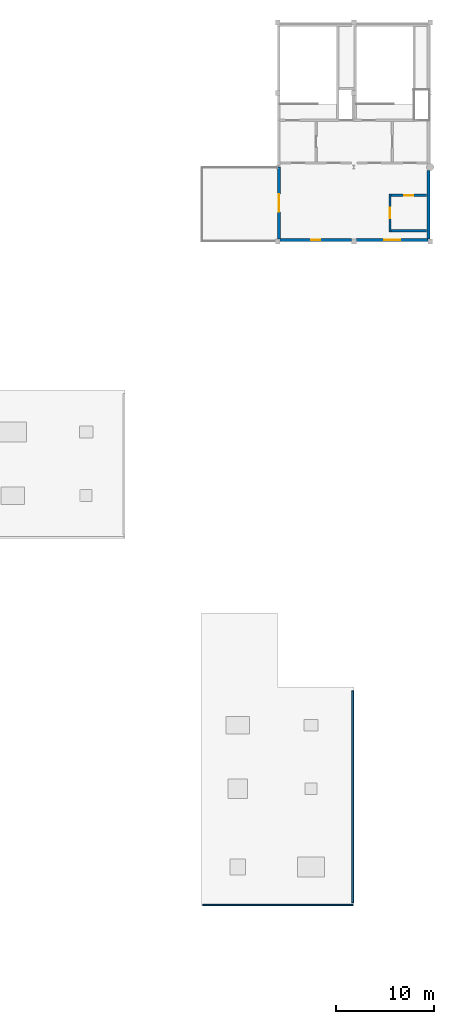
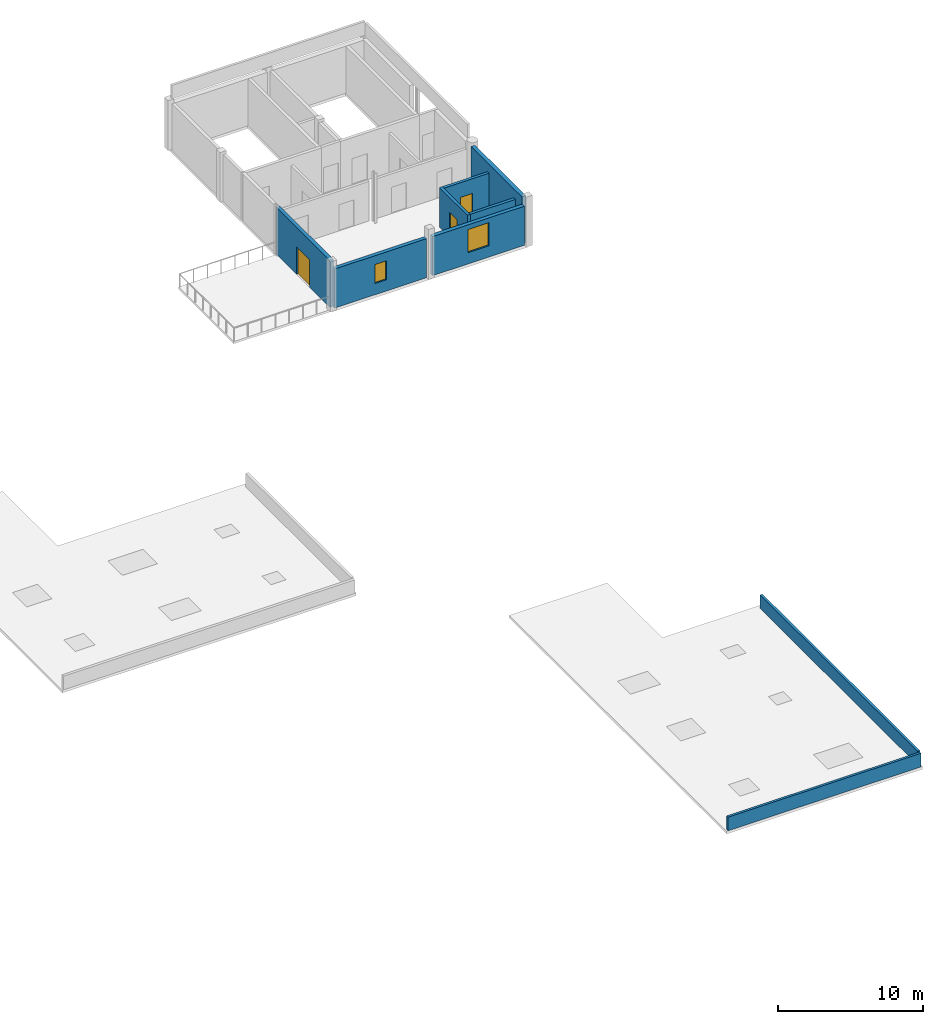
# One storey, part 15 of 17: 9 walls, 3 doors, 2 windows, 5 openings.
"""IFC4 building model written with IfcOpenShell, lengths in metres."""

import ifcopenshell
import ifcopenshell.guid

model = None  # the IFC model being written
_history = None  # IfcOwnerHistory: only IFC2X3 demands one
_inside = {}  # id of a spatial element -> (the spatial element, [elements in it])
_under = {}  # id of a project, library or spatial element -> (it, [spatial elements below it])
_declared = {}  # id of a project -> (the project, [libraries it declares])
_typed = {}  # id of a type object -> (the type object, [elements of that type])
_made_of = {}  # id of a material, layer set ... -> (it, [elements and type objects made of it])


def new_model(schema):
    """Start an empty IFC model of exactly this schema.

    Asked for "IFC4X3", IfcOpenShell would pick the latest addendum, in which some entities
    have other attributes; the version numbers below select the first issue.
    IFC2X3 requires an IfcOwnerHistory on every rooted entity: one is made here for all.
    """
    global model, _history
    if schema == "IFC4X3":
        model = ifcopenshell.file(schema_version=(4, 3, 0, 0))
    else:
        model = ifcopenshell.file(schema=schema)
    _inside.clear()
    _under.clear()
    _declared.clear()
    _typed.clear()
    _made_of.clear()
    _history = None
    if model.schema == "IFC2X3":
        org = make("IfcOrganization", Name="unknown")
        user = make(
            "IfcPersonAndOrganization",
            ThePerson=make("IfcPerson", FamilyName="unknown"),
            TheOrganization=org,
        )
        app = make(
            "IfcApplication",
            ApplicationDeveloper=org,
            Version="unknown",
            ApplicationFullName="unknown",
            ApplicationIdentifier="unknown",
        )
        _history = make(
            "IfcOwnerHistory",
            OwningUser=user,
            OwningApplication=app,
            ChangeAction="ADDED",
            CreationDate=0,
        )
    return model


def make(cls, **values):
    """One entity of the class cls with the attributes given. An attribute that is None is left unset."""
    return model.create_entity(
        cls, **{name: value for name, value in values.items() if value is not None}
    )


def rooted(cls, **values):
    """An entity with a GlobalId (a new one), such as an element, a storey or a relation."""
    return make(cls, GlobalId=ifcopenshell.guid.new(), OwnerHistory=_history, **values)


def si_unit(unit_type, name, prefix=None):
    """IfcSIUnit, for example si_unit("LENGTHUNIT", "METRE", prefix="MILLI")."""
    return make("IfcSIUnit", UnitType=unit_type, Prefix=prefix, Name=name)


def assignment(units):
    """IfcUnitAssignment: the units of a project."""
    return None if units is None else make("IfcUnitAssignment", Units=units)


def point(xyz):
    """IfcCartesianPoint."""
    return None if xyz is None else make("IfcCartesianPoint", Coordinates=xyz)


def direction(xyz):
    """IfcDirection."""
    return None if xyz is None else make("IfcDirection", DirectionRatios=xyz)


def frame(location, z_axis=None, x_axis=None):
    """IfcAxis2Placement3D, a coordinate frame: its origin and axes. An axis left out is left unset."""
    return make(
        "IfcAxis2Placement3D",
        Location=point(location),
        Axis=direction(z_axis),
        RefDirection=direction(x_axis),
    )


def frame_2d(location, x_axis=None):
    """IfcAxis2Placement2D, a coordinate frame in the plane: its origin and x axis."""
    return make(
        "IfcAxis2Placement2D", Location=point(location), RefDirection=direction(x_axis)
    )


def origin():
    """The frame at (0, 0, 0) with its axes left unset."""
    return frame((0.0, 0.0, 0.0))


def place(relative_to, where):
    """IfcLocalPlacement: puts the frame where relative to a parent placement (None: the world)."""
    return make(
        "IfcLocalPlacement", PlacementRelTo=relative_to, RelativePlacement=where
    )


def context(
    kind, dimensions, precision=None, world=None, true_north=None, identifier=None
):
    """IfcGeometricRepresentationContext, for example the 3D "Model" context."""
    return make(
        "IfcGeometricRepresentationContext",
        ContextIdentifier=identifier,
        ContextType=kind,
        CoordinateSpaceDimension=dimensions,
        Precision=precision,
        WorldCoordinateSystem=world,
        TrueNorth=true_north,
    )


def subcontext(parent, identifier, kind, view, scale=None):
    """IfcGeometricRepresentationSubContext, for example "Body" below "Model"."""
    return make(
        "IfcGeometricRepresentationSubContext",
        ContextIdentifier=identifier,
        ContextType=kind,
        ParentContext=parent,
        TargetScale=scale,
        TargetView=view,
    )


def project(units=None, contexts=None):
    """IfcProject with its units and contexts."""
    return rooted(
        "IfcProject",
        Name="project",
        RepresentationContexts=contexts,
        UnitsInContext=assignment(units),
    )


def spatial(cls, under=None, at=None, **own):
    """A site, building, storey or space (cls), placed at a placement, below another one or the project."""
    s = rooted(cls, ObjectPlacement=at, **own)
    if under is not None:
        _under.setdefault(under.id(), (under, []))[1].append(s)
    return s


def profile(cls, at=None, kind="AREA", **sizes):
    """A parametric profile (cls). Its sizes go by their IFC names, for example OverallWidth=200.0."""
    return make(cls, ProfileType=kind, Position=at, **sizes)


def rectangle(**sizes):
    """IfcRectangleProfileDef."""
    return profile("IfcRectangleProfileDef", **sizes)


def extrude(swept, where, along, depth):
    """IfcExtrudedAreaSolid: the profile swept, set in the frame where, extruded along a direction by depth."""
    return make(
        "IfcExtrudedAreaSolid",
        SweptArea=swept,
        Position=where,
        ExtrudedDirection=direction(along),
        Depth=depth,
    )


def shape(context_of_items, identifier, shape_type, items):
    """IfcShapeRepresentation: the items that make up one representation, for example the "Body"."""
    return make(
        "IfcShapeRepresentation",
        ContextOfItems=context_of_items,
        RepresentationIdentifier=identifier,
        RepresentationType=shape_type,
        Items=items,
    )


def material(Name=None, Category=None):
    """IfcMaterial."""
    return make("IfcMaterial", Name=Name, Category=Category)


def layer(
    of_material, thickness, ventilated=None, Name=None, Category=None, Priority=None
):
    """IfcMaterialLayer: one layer of a wall or slab, of a material (None: an air gap)."""
    return make(
        "IfcMaterialLayer",
        Material=of_material,
        LayerThickness=thickness,
        IsVentilated=ventilated,
        Name=Name,
        Category=Category,
        Priority=Priority,
    )


def layer_set(layers, Name=None):
    """IfcMaterialLayerSet."""
    return make("IfcMaterialLayerSet", MaterialLayers=layers, LayerSetName=Name)


def made_of(thing, what):
    """Note that an element or type object is made of a material, layer set ...; save() writes the relation."""
    if what is not None:
        _made_of.setdefault(what.id(), (what, []))[1].append(thing)
    return thing


def type_object(cls, material=None, **own):
    """A type object (cls), such as IfcWallType, which elements share."""
    return made_of(rooted(cls, **own), material)


def element(
    cls,
    number,
    at=None,
    inside=None,
    cuts=None,
    type_object=None,
    material=None,
    context=None,
    identifier="Body",
    shape_type=None,
    held_by="IfcProductDefinitionShape",
    body=None,
    shapes=None,
    **own,
):
    """One element of the class cls, such as IfcWall. Its Tag is "e" and its number.

    at: its placement. inside: the storey or other place that contains it. cuts: it is an
    opening in that element (IfcRelVoidsElement). A single representation is given by context,
    identifier, shape_type and body (its items); several are given by shapes. held_by: the class
    of the entity that holds the representations. save() writes the other relations.
    """
    e = rooted(cls, Tag="e%d" % number, ObjectPlacement=at, **own)
    if body is not None:
        shapes = [shape(context, identifier, shape_type, body)]
    if shapes is not None:
        e.Representation = make(held_by, Representations=shapes)
    if inside is not None:
        _inside.setdefault(inside.id(), (inside, []))[1].append(e)
    if cuts is not None:
        rooted(
            "IfcRelVoidsElement", RelatingBuildingElement=cuts, RelatedOpeningElement=e
        )
    if type_object is not None:
        _typed.setdefault(type_object.id(), (type_object, []))[1].append(e)
    return made_of(e, material)


def fill(opening, filler):
    """IfcRelFillsElement: the door or window that sits in an opening."""
    return rooted(
        "IfcRelFillsElement",
        RelatingOpeningElement=opening,
        RelatedBuildingElement=filler,
    )


def aggregate(whole, parts):
    """IfcRelAggregates: a whole, such as a stair, and the parts it consists of."""
    return rooted("IfcRelAggregates", RelatingObject=whole, RelatedObjects=parts)


def save(model, path):
    """Write the relations noted so far, then the file.

    IfcRelAggregates (storeys below a building ...), IfcRelContainedInSpatialStructure (elements
    in a storey), IfcRelDefinesByType, IfcRelAssociatesMaterial and IfcRelDeclares: one each for
    every whole, place, type object, material and project.
    """
    for whole, parts in _under.values():
        aggregate(whole, parts)
    for where, things in _inside.values():
        rooted(
            "IfcRelContainedInSpatialStructure",
            RelatedElements=things,
            RelatingStructure=where,
        )
    for kind, things in _typed.values():
        rooted("IfcRelDefinesByType", RelatedObjects=things, RelatingType=kind)
    for what, things in _made_of.values():
        rooted("IfcRelAssociatesMaterial", RelatedObjects=things, RelatingMaterial=what)
    for by, libraries in _declared.values():
        rooted("IfcRelDeclares", RelatingContext=by, RelatedDefinitions=libraries)
    model.write(path)


model = new_model("IFC4")

# Units and contexts
model_context = context("Model", 3, precision=1e-05, world=origin(), true_north=direction((0.0, 1.0)))
body_context = subcontext(model_context, "Body", "Model", "MODEL_VIEW")
ifc_project = project(units=[si_unit("LENGTHUNIT", "METRE"), si_unit("AREAUNIT", "SQUARE_METRE"), si_unit("VOLUMEUNIT", "CUBIC_METRE"), si_unit("PLANEANGLEUNIT", "RADIAN"), si_unit("MASSUNIT", "GRAM", prefix="KILO")], contexts=[model_context])

# Site, building, storey
site_placement = place(None, origin())
site = spatial("IfcSite", under=ifc_project, at=site_placement, CompositionType="ELEMENT")
building_placement = place(site_placement, origin())
building = spatial("IfcBuilding", under=site, at=building_placement, Name="Xicomal Pleat Aquarium", CompositionType="ELEMENT")
storey_placement = place(building_placement, frame((0.0, 0.0, 19.800048828125)))
storey = spatial("IfcBuildingStorey", under=building, at=storey_placement, Name="L05", CompositionType="ELEMENT", Elevation=19.800048828125)

# Wall, opening, door
ifc_material_1 = material(Name="Precast concrete C40/50", Category="concrete")
ifc_layer_1 = layer(ifc_material_1, 0.280029296875)
ifc_layer_set_1 = layer_set([ifc_layer_1], Name="Precast concrete C40/50")
wall_type_1 = type_object("IfcWallType", Name="WAL-EXT-PRC-280", PredefinedType="SOLIDWALL", material=ifc_layer_set_1)
wall_1_placement = place(storey_placement, frame((141.739990234375, 76.235107421875, 0.0), z_axis=(0.0, 0.0, 1.0), x_axis=(0.0, 1.0, 0.0)))
wall_1 = element("IfcWall", 1, at=wall_1_placement, inside=storey, type_object=wall_type_1, Name="L05 exterior basalt-precast wall EW-L05-006", PredefinedType="SOLIDWALL", context=body_context, shape_type="SweptSolid", body=[
    extrude(rectangle(XDim=7.385009765625, YDim=0.280029296875, at=frame_2d((3.6923828125, 0.0))), origin(), (0.0, 0.0, 1.0), 3.9599609375),
])
opening_1_placement = place(wall_1_placement, frame((2.79296875, 0.0, 0.0)))
opening_1 = element("IfcOpeningElement", 2, at=opening_1_placement, cuts=wall_1, Name="Opening TD-L05-05", PredefinedType="OPENING", context=body_context, shape_type="SweptSolid", body=[
    extrude(rectangle(XDim=1.800048828125, YDim=2.300048828125, at=frame_2d((0.89990234375, 1.14990234375))), frame((0.0, 0.14990234375, 0.0), z_axis=(0.0, -1.0, 0.0), x_axis=(1.0, 0.0, 0.0)), (0.0, 0.0, 1.0), 0.300048828125),
])
ifc_material_2 = material(Name="Bronze anodized aluminium and laminated safety glass", Category="aluminium")
door_type_1 = type_object("IfcDoorType", Name="DOR-TER-1800x2300", OperationType="DOUBLE_DOOR_SINGLE_SWING", PredefinedType="DOOR", material=ifc_material_2)
door_1_placement = place(opening_1_placement, origin())
door_1 = element("IfcDoor", 3, at=door_1_placement, inside=storey, type_object=door_type_1, Name="L05 outdoor court terrace door 5", OperationType="DOUBLE_DOOR_SINGLE_SWING", OverallHeight=2.300048828125, OverallWidth=1.800048828125, PredefinedType="DOOR", context=body_context, shape_type="SweptSolid", body=[
    extrude(rectangle(XDim=1.800048828125, YDim=2.300048828125, at=frame_2d((0.89990234375, 1.14990234375))), frame((0.0, 0.02490234375, 0.0), z_axis=(0.0, -1.0, 0.0), x_axis=(1.0, 0.0, 0.0)), (0.0, 0.0, 1.0), 0.050048828125),
])
fill(opening_1, door_1)

# Wall, opening, window
ifc_material_3 = material(Name="Precast concrete C40/50", Category="concrete")
ifc_layer_2 = layer(ifc_material_3, 0.2900390625)
ifc_layer_set_2 = layer_set([ifc_layer_2], Name="Precast concrete C40/50")
wall_type_2 = type_object("IfcWallType", Name="WAL-EXT-PRC-290", PredefinedType="SOLIDWALL", material=ifc_layer_set_2)
wall_2_placement = place(storey_placement, frame((149.1650390625, 76.14501953125, 0.0), z_axis=(0.0, 0.0, 1.0), x_axis=(-1.0, 0.0, 0.0)))
wall_2 = element("IfcWall", 4, at=wall_2_placement, inside=storey, type_object=wall_type_2, Name="L05 exterior basalt-precast wall EW-L05-005", PredefinedType="SOLIDWALL", context=body_context, shape_type="SweptSolid", body=[
    extrude(rectangle(XDim=7.330078125, YDim=0.2900390625, at=frame_2d((3.6650390625, 0.0))), origin(), (0.0, 0.0, 1.0), 3.294921875),
])
opening_2_placement = place(wall_2_placement, frame((3.215087890625, 0.0, 0.949951171875)))
opening_2 = element("IfcOpeningElement", 5, at=opening_2_placement, cuts=wall_2, Name="Opening WN-06", PredefinedType="OPENING", context=body_context, shape_type="SweptSolid", body=[
    extrude(rectangle(XDim=0.89990234375, YDim=1.60009765625, at=frame_2d((0.449951171875, 0.800048828125))), frame((0.0, 0.155029296875, 0.0), z_axis=(0.0, -1.0, 0.0), x_axis=(1.0, 0.0, 0.0)), (0.0, 0.0, 1.0), 0.31005859375),
])
ifc_material_4 = material(Name="Insulated low-E laminated glass", Category="glass")
window_type_1 = type_object("IfcWindowType", Name="WIN-EXT-0900x1600", PartitioningType="SINGLE_PANEL", PredefinedType="WINDOW", material=ifc_material_4)
window_1_placement = place(opening_2_placement, origin())
window_1 = element("IfcWindow", 6, at=window_1_placement, inside=storey, type_object=window_type_1, Name="L05 thermally broken low-E window 83", OverallHeight=1.60009765625, OverallWidth=0.89990234375, PartitioningType="SINGLE_PANEL", PredefinedType="WINDOW", context=body_context, shape_type="SweptSolid", body=[
    extrude(rectangle(XDim=0.89990234375, YDim=1.60009765625, at=frame_2d((0.449951171875, 0.800048828125))), frame((0.0, 0.030029296875, 0.0), z_axis=(0.0, -1.0, 0.0), x_axis=(1.0, 0.0, 0.0)), (0.0, 0.0, 1.0), 0.06005859375),
])
fill(opening_2, window_1)

ifc_material_5 = material(Name="Precast concrete C40/50", Category="concrete")
ifc_layer_3 = layer(ifc_material_5, 0.300048828125)
ifc_layer_set_3 = layer_set([ifc_layer_3], Name="Precast concrete C40/50")
wall_type_3 = type_object("IfcWallType", Name="WAL-EXT-PRC-300", PredefinedType="SOLIDWALL", material=ifc_layer_set_3)
wall_3_placement = place(storey_placement, frame((156.965087890625, 76.14990234375, 0.0), z_axis=(0.0, 0.0, 1.0), x_axis=(-1.0, 0.0, 0.0)))
wall_3 = element("IfcWall", 7, at=wall_3_placement, inside=storey, type_object=wall_type_3, Name="L05 exterior basalt-precast wall EW-L05-004", PredefinedType="SOLIDWALL", context=body_context, shape_type="SweptSolid", body=[
    extrude(rectangle(XDim=7.330078125, YDim=0.300048828125, at=frame_2d((3.6650390625, 0.0))), origin(), (0.0, 0.0, 1.0), 3.294921875),
])
opening_3_placement = place(wall_3_placement, frame((2.840087890625, 0.0, 0.949951171875)))
opening_3 = element("IfcOpeningElement", 8, at=opening_3_placement, cuts=wall_3, Name="Opening WN-10", PredefinedType="OPENING", context=body_context, shape_type="SweptSolid", body=[
    extrude(rectangle(XDim=1.64990234375, YDim=1.949951171875, at=frame_2d((0.824951171875, 0.97509765625))), frame((0.0, 0.159912109375, 0.0), z_axis=(0.0, -1.0, 0.0), x_axis=(1.0, 0.0, 0.0)), (0.0, 0.0, 1.0), 0.320068359375),
])
ifc_material_6 = material(Name="Insulated low-E laminated glass", Category="glass")
window_type_2 = type_object("IfcWindowType", Name="WIN-EXT-1650x1950", PartitioningType="SINGLE_PANEL", PredefinedType="WINDOW", material=ifc_material_6)
window_2_placement = place(opening_3_placement, origin())
window_2 = element("IfcWindow", 9, at=window_2_placement, inside=storey, type_object=window_type_2, Name="L05 thermally broken low-E window 82", OverallHeight=1.949951171875, OverallWidth=1.64990234375, PartitioningType="SINGLE_PANEL", PredefinedType="WINDOW", context=body_context, shape_type="SweptSolid", body=[
    extrude(rectangle(XDim=1.64990234375, YDim=1.949951171875, at=frame_2d((0.824951171875, 0.97509765625))), frame((0.0, 0.030029296875, 0.0), z_axis=(0.0, -1.0, 0.0), x_axis=(1.0, 0.0, 0.0)), (0.0, 0.0, 1.0), 0.06005859375),
])
fill(opening_3, window_2)

# Walls
ifc_material_7 = material(Name="Precast concrete C40/50", Category="concrete")
ifc_layer_4 = layer(ifc_material_7, 0.31201171875)
ifc_layer_set_4 = layer_set([ifc_layer_4], Name="Precast concrete C40/50")
wall_type_4 = type_object("IfcWallType", Name="WAL-EXT-PRC-312", PredefinedType="SOLIDWALL", material=ifc_layer_set_4)
wall_4_placement = place(storey_placement, frame((157.0439453125, 83.239990234375, 0.0), z_axis=(0.0, 0.0, 1.0), x_axis=(0.0, -1.0, 0.0)))
element("IfcWall", 10, at=wall_4_placement, inside=storey, type_object=wall_type_4, Name="L05 exterior basalt-precast wall EW-L05-003", PredefinedType="SOLIDWALL", context=body_context, shape_type="SweptSolid", body=[
    extrude(rectangle(XDim=7.0048828125, YDim=0.31201171875, at=frame_2d((3.50244140625, 0.0))), origin(), (0.0, 0.0, 1.0), 3.9599609375),
])
ifc_material_8 = material(Name="Precast concrete C40/50", Category="concrete")
ifc_layer_5 = layer(ifc_material_8, 0.18994140625)
ifc_layer_set_5 = layer_set([ifc_layer_5], Name="Precast concrete C40/50")
wall_type_5 = type_object("IfcWallType", Name="WAL-PAR-190", PredefinedType="PARAPET", material=ifc_layer_set_5)
wall_5_placement = place(storey_placement, frame((133.909912109375, 8.110107421875, 0.0), z_axis=(0.0, 0.0, 1.0), x_axis=(1.0, 0.0, 0.0)))
element("IfcWall", 11, at=wall_5_placement, inside=storey, type_object=wall_type_5, Name="L05 roof perimeter parapet PW-L05-V3-S", PredefinedType="PARAPET", context=body_context, shape_type="SweptSolid", body=[
    extrude(rectangle(XDim=15.380126953125, YDim=0.18994140625, at=frame_2d((7.68994140625, 0.0))), origin(), (0.0, 0.0, 1.0), 1.14990234375),
])
wall_6_placement = place(storey_placement, frame((149.2900390625, 8.35009765625, 0.0), z_axis=(0.0, 0.0, 1.0), x_axis=(0.0, 1.0, 0.0)))
element("IfcWall", 12, at=wall_6_placement, inside=storey, type_object=wall_type_5, Name="L05 roof perimeter parapet PW-L05-V3-E", PredefinedType="PARAPET", context=body_context, shape_type="SweptSolid", body=[
    extrude(rectangle(XDim=21.699951171875, YDim=0.18994140625, at=frame_2d((10.85009765625, 0.0))), origin(), (0.0, 0.0, 1.0), 1.14990234375),
])

# Wall, opening, door
ifc_material_9 = material(Name="Water-resistant cement-board wet-lab partition", Category="gypsum")
ifc_layer_6 = layer(ifc_material_9, 0.22998046875)
ifc_layer_set_6 = layer_set([ifc_layer_6], Name="Water-resistant cement-board wet-lab partition")
wall_type_6 = type_object("IfcWallType", Name="WAL-PLB-230", PredefinedType="PLUMBINGWALL", material=ifc_layer_set_6)
wall_7_placement = place(storey_placement, frame((153.0849609375, 76.969970703125, 0.0), z_axis=(0.0, 0.0, 1.0), x_axis=(0.0, 1.0, 0.0)))
wall_7 = element("IfcWall", 13, at=wall_7_placement, inside=storey, type_object=wall_type_6, Name="L05 enclosed toilet partition PT-L05-082", PredefinedType="PLUMBINGWALL", context=body_context, shape_type="SweptSolid", body=[
    extrude(rectangle(XDim=3.860107421875, YDim=0.22998046875, at=frame_2d((1.93017578125, 0.0))), origin(), (0.0, 0.0, 1.0), 3.3349609375),
])
opening_4_placement = place(wall_7_placement, frame((1.405029296875, 0.0, 0.0)))
opening_4 = element("IfcOpeningElement", 14, at=opening_4_placement, cuts=wall_7, Name="Opening DR-L05-043", PredefinedType="OPENING", context=body_context, shape_type="SweptSolid", body=[
    extrude(rectangle(XDim=1.050048828125, YDim=2.10009765625, at=frame_2d((0.52490234375, 1.050048828125))), frame((0.0, 0.125, 0.0), z_axis=(0.0, -1.0, 0.0), x_axis=(1.0, 0.0, 0.0)), (0.0, 0.0, 1.0), 0.25),
])
ifc_material_10 = material(Name="Solid-core hardwood and anodized aluminium frame", Category="wood")
door_type_2 = type_object("IfcDoorType", Name="DOR-AWC-1050x2100", OperationType="NOTDEFINED", PredefinedType="DOOR", material=ifc_material_10)
door_2_placement = place(opening_4_placement, origin())
door_2 = element("IfcDoor", 15, at=door_2_placement, inside=storey, type_object=door_type_2, Name="L05 East Wing Accessible Toilet door DR-L05-043", OperationType="SINGLE_SWING_RIGHT", OverallHeight=2.10009765625, OverallWidth=1.050048828125, PredefinedType="DOOR", context=body_context, shape_type="SweptSolid", body=[
    extrude(rectangle(XDim=1.050048828125, YDim=2.10009765625, at=frame_2d((0.52490234375, 1.050048828125))), frame((0.0, 0.02490234375, 0.0), z_axis=(0.0, -1.0, 0.0), x_axis=(1.0, 0.0, 0.0)), (0.0, 0.0, 1.0), 0.050048828125),
])
fill(opening_4, door_2)

# Wall
wall_8_placement = place(storey_placement, frame((153.199951171875, 77.0849609375, 0.0), z_axis=(0.0, 0.0, 1.0), x_axis=(1.0, 0.0, 0.0)))
element("IfcWall", 16, at=wall_8_placement, inside=storey, type_object=wall_type_6, Name="L05 enclosed toilet partition PT-L05-083", PredefinedType="PLUMBINGWALL", context=body_context, shape_type="SweptSolid", body=[
    extrude(rectangle(XDim=3.60009765625, YDim=0.22998046875, at=frame_2d((1.800048828125, 0.0))), origin(), (0.0, 0.0, 1.0), 3.3349609375),
])

# Wall, opening, door
wall_9_placement = place(storey_placement, frame((153.199951171875, 80.715087890625, 0.0), z_axis=(0.0, 0.0, 1.0), x_axis=(1.0, 0.0, 0.0)))
wall_9 = element("IfcWall", 17, at=wall_9_placement, inside=storey, type_object=wall_type_6, Name="L05 enclosed toilet partition PT-L05-084", PredefinedType="PLUMBINGWALL", context=body_context, shape_type="SweptSolid", body=[
    extrude(rectangle(XDim=3.60009765625, YDim=0.22998046875, at=frame_2d((1.800048828125, 0.0))), origin(), (0.0, 0.0, 1.0), 3.3349609375),
])
opening_5_placement = place(wall_9_placement, frame((1.324951171875, 0.0, 0.0)))
opening_5 = element("IfcOpeningElement", 18, at=opening_5_placement, cuts=wall_9, Name="Opening DR-L05-046", PredefinedType="OPENING", context=body_context, shape_type="SweptSolid", body=[
    extrude(rectangle(XDim=0.949951171875, YDim=2.10009765625, at=frame_2d((0.47509765625, 1.050048828125))), frame((0.0, 0.125, 0.0), z_axis=(0.0, -1.0, 0.0), x_axis=(1.0, 0.0, 0.0)), (0.0, 0.0, 1.0), 0.25),
])
ifc_material_11 = material(Name="Solid-core hardwood and anodized aluminium frame", Category="wood")
door_type_3 = type_object("IfcDoorType", Name="DOR-WC-0950x2100", OperationType="NOTDEFINED", PredefinedType="DOOR", material=ifc_material_11)
door_3_placement = place(opening_5_placement, origin())
door_3 = element("IfcDoor", 19, at=door_3_placement, inside=storey, type_object=door_type_3, Name="L05 Curatorial Marine Observation Lounge door DR-L05-046", OperationType="SINGLE_SWING_LEFT", OverallHeight=2.10009765625, OverallWidth=0.949951171875, PredefinedType="DOOR", context=body_context, shape_type="SweptSolid", body=[
    extrude(rectangle(XDim=0.949951171875, YDim=2.10009765625, at=frame_2d((0.47509765625, 1.050048828125))), frame((0.0, 0.02490234375, 0.0), z_axis=(0.0, -1.0, 0.0), x_axis=(1.0, 0.0, 0.0)), (0.0, 0.0, 1.0), 0.050048828125),
])
fill(opening_5, door_3)

save(model, "model.ifc")
